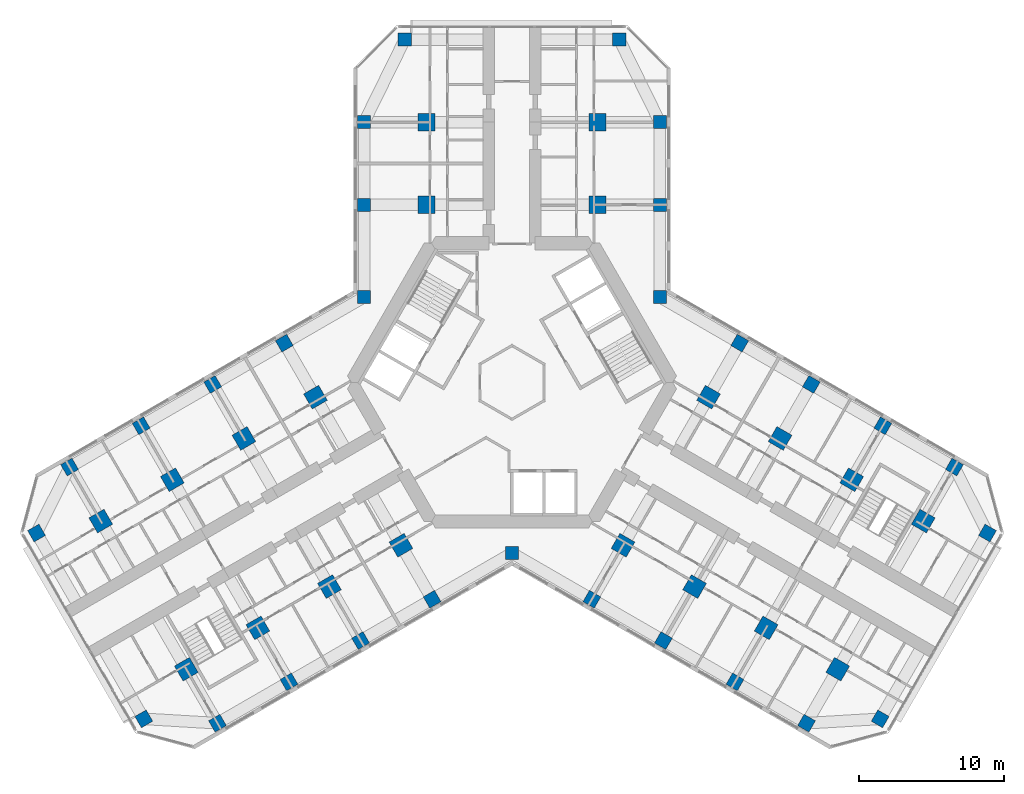
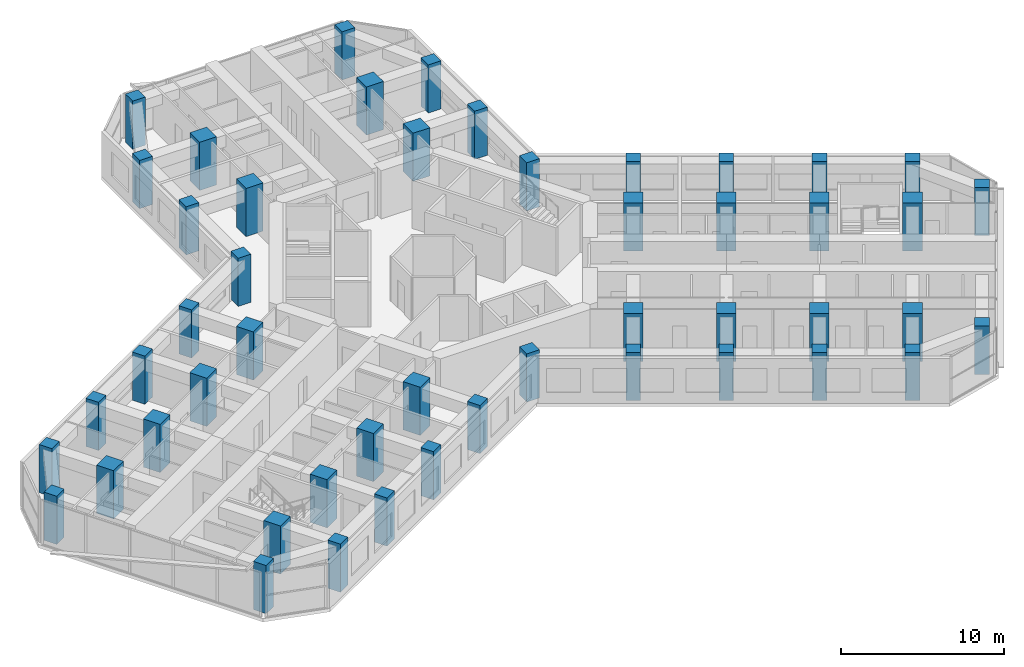
# One storey, part 1 of 19: 49 columns.
"""IFC4 building model written with IfcOpenShell, lengths in metres."""

import ifcopenshell
import ifcopenshell.guid

model = None  # the IFC model being written
_history = None  # IfcOwnerHistory: only IFC2X3 demands one
_inside = {}  # id of a spatial element -> (the spatial element, [elements in it])
_under = {}  # id of a project, library or spatial element -> (it, [spatial elements below it])
_declared = {}  # id of a project -> (the project, [libraries it declares])
_typed = {}  # id of a type object -> (the type object, [elements of that type])
_made_of = {}  # id of a material, layer set ... -> (it, [elements and type objects made of it])


def new_model(schema):
    """Start an empty IFC model of exactly this schema.

    Asked for "IFC4X3", IfcOpenShell would pick the latest addendum, in which some entities
    have other attributes; the version numbers below select the first issue.
    IFC2X3 requires an IfcOwnerHistory on every rooted entity: one is made here for all.
    """
    global model, _history
    if schema == "IFC4X3":
        model = ifcopenshell.file(schema_version=(4, 3, 0, 0))
    else:
        model = ifcopenshell.file(schema=schema)
    _inside.clear()
    _under.clear()
    _declared.clear()
    _typed.clear()
    _made_of.clear()
    _history = None
    if model.schema == "IFC2X3":
        org = make("IfcOrganization", Name="unknown")
        user = make(
            "IfcPersonAndOrganization",
            ThePerson=make("IfcPerson", FamilyName="unknown"),
            TheOrganization=org,
        )
        app = make(
            "IfcApplication",
            ApplicationDeveloper=org,
            Version="unknown",
            ApplicationFullName="unknown",
            ApplicationIdentifier="unknown",
        )
        _history = make(
            "IfcOwnerHistory",
            OwningUser=user,
            OwningApplication=app,
            ChangeAction="ADDED",
            CreationDate=0,
        )
    return model


def make(cls, **values):
    """One entity of the class cls with the attributes given. An attribute that is None is left unset."""
    return model.create_entity(
        cls, **{name: value for name, value in values.items() if value is not None}
    )


def rooted(cls, **values):
    """An entity with a GlobalId (a new one), such as an element, a storey or a relation."""
    return make(cls, GlobalId=ifcopenshell.guid.new(), OwnerHistory=_history, **values)


def si_unit(unit_type, name, prefix=None):
    """IfcSIUnit, for example si_unit("LENGTHUNIT", "METRE", prefix="MILLI")."""
    return make("IfcSIUnit", UnitType=unit_type, Prefix=prefix, Name=name)


def assignment(units):
    """IfcUnitAssignment: the units of a project."""
    return None if units is None else make("IfcUnitAssignment", Units=units)


def point(xyz):
    """IfcCartesianPoint."""
    return None if xyz is None else make("IfcCartesianPoint", Coordinates=xyz)


def direction(xyz):
    """IfcDirection."""
    return None if xyz is None else make("IfcDirection", DirectionRatios=xyz)


def frame(location, z_axis=None, x_axis=None):
    """IfcAxis2Placement3D, a coordinate frame: its origin and axes. An axis left out is left unset."""
    return make(
        "IfcAxis2Placement3D",
        Location=point(location),
        Axis=direction(z_axis),
        RefDirection=direction(x_axis),
    )


def frame_2d(location, x_axis=None):
    """IfcAxis2Placement2D, a coordinate frame in the plane: its origin and x axis."""
    return make(
        "IfcAxis2Placement2D", Location=point(location), RefDirection=direction(x_axis)
    )


def origin():
    """The frame at (0, 0, 0) with its axes left unset."""
    return frame((0.0, 0.0, 0.0))


def origin_2d():
    """The frame at (0, 0) in the plane with its x axis left unset."""
    return frame_2d((0.0, 0.0))


def place(relative_to, where):
    """IfcLocalPlacement: puts the frame where relative to a parent placement (None: the world)."""
    return make(
        "IfcLocalPlacement", PlacementRelTo=relative_to, RelativePlacement=where
    )


def context(
    kind, dimensions, precision=None, world=None, true_north=None, identifier=None
):
    """IfcGeometricRepresentationContext, for example the 3D "Model" context."""
    return make(
        "IfcGeometricRepresentationContext",
        ContextIdentifier=identifier,
        ContextType=kind,
        CoordinateSpaceDimension=dimensions,
        Precision=precision,
        WorldCoordinateSystem=world,
        TrueNorth=true_north,
    )


def subcontext(parent, identifier, kind, view, scale=None):
    """IfcGeometricRepresentationSubContext, for example "Body" below "Model"."""
    return make(
        "IfcGeometricRepresentationSubContext",
        ContextIdentifier=identifier,
        ContextType=kind,
        ParentContext=parent,
        TargetScale=scale,
        TargetView=view,
    )


def project(units=None, contexts=None):
    """IfcProject with its units and contexts."""
    return rooted(
        "IfcProject",
        Name="project",
        RepresentationContexts=contexts,
        UnitsInContext=assignment(units),
    )


def spatial(cls, under=None, at=None, **own):
    """A site, building, storey or space (cls), placed at a placement, below another one or the project."""
    s = rooted(cls, ObjectPlacement=at, **own)
    if under is not None:
        _under.setdefault(under.id(), (under, []))[1].append(s)
    return s


def profile(cls, at=None, kind="AREA", **sizes):
    """A parametric profile (cls). Its sizes go by their IFC names, for example OverallWidth=200.0."""
    return make(cls, ProfileType=kind, Position=at, **sizes)


def rectangle(**sizes):
    """IfcRectangleProfileDef."""
    return profile("IfcRectangleProfileDef", **sizes)


def extrude(swept, where, along, depth):
    """IfcExtrudedAreaSolid: the profile swept, set in the frame where, extruded along a direction by depth."""
    return make(
        "IfcExtrudedAreaSolid",
        SweptArea=swept,
        Position=where,
        ExtrudedDirection=direction(along),
        Depth=depth,
    )


def shape(context_of_items, identifier, shape_type, items):
    """IfcShapeRepresentation: the items that make up one representation, for example the "Body"."""
    return make(
        "IfcShapeRepresentation",
        ContextOfItems=context_of_items,
        RepresentationIdentifier=identifier,
        RepresentationType=shape_type,
        Items=items,
    )


def material(Name=None, Category=None):
    """IfcMaterial."""
    return make("IfcMaterial", Name=Name, Category=Category)


def material_profile(
    of_material, cross_section, Name=None, Category=None, Priority=None
):
    """IfcMaterialProfile: a cross section and its material."""
    return make(
        "IfcMaterialProfile",
        Name=Name,
        Material=of_material,
        Profile=cross_section,
        Priority=Priority,
        Category=Category,
    )


def profile_set(profiles, Name=None, composite=None):
    """IfcMaterialProfileSet."""
    return make(
        "IfcMaterialProfileSet",
        Name=Name,
        MaterialProfiles=profiles,
        CompositeProfile=composite,
    )


def made_of(thing, what):
    """Note that an element or type object is made of a material, layer set ...; save() writes the relation."""
    if what is not None:
        _made_of.setdefault(what.id(), (what, []))[1].append(thing)
    return thing


def type_object(cls, material=None, **own):
    """A type object (cls), such as IfcWallType, which elements share."""
    return made_of(rooted(cls, **own), material)


def element(
    cls,
    number,
    at=None,
    inside=None,
    cuts=None,
    type_object=None,
    material=None,
    context=None,
    identifier="Body",
    shape_type=None,
    held_by="IfcProductDefinitionShape",
    body=None,
    shapes=None,
    **own,
):
    """One element of the class cls, such as IfcWall. Its Tag is "e" and its number.

    at: its placement. inside: the storey or other place that contains it. cuts: it is an
    opening in that element (IfcRelVoidsElement). A single representation is given by context,
    identifier, shape_type and body (its items); several are given by shapes. held_by: the class
    of the entity that holds the representations. save() writes the other relations.
    """
    e = rooted(cls, Tag="e%d" % number, ObjectPlacement=at, **own)
    if body is not None:
        shapes = [shape(context, identifier, shape_type, body)]
    if shapes is not None:
        e.Representation = make(held_by, Representations=shapes)
    if inside is not None:
        _inside.setdefault(inside.id(), (inside, []))[1].append(e)
    if cuts is not None:
        rooted(
            "IfcRelVoidsElement", RelatingBuildingElement=cuts, RelatedOpeningElement=e
        )
    if type_object is not None:
        _typed.setdefault(type_object.id(), (type_object, []))[1].append(e)
    return made_of(e, material)


def aggregate(whole, parts):
    """IfcRelAggregates: a whole, such as a stair, and the parts it consists of."""
    return rooted("IfcRelAggregates", RelatingObject=whole, RelatedObjects=parts)


def save(model, path):
    """Write the relations noted so far, then the file.

    IfcRelAggregates (storeys below a building ...), IfcRelContainedInSpatialStructure (elements
    in a storey), IfcRelDefinesByType, IfcRelAssociatesMaterial and IfcRelDeclares: one each for
    every whole, place, type object, material and project.
    """
    for whole, parts in _under.values():
        aggregate(whole, parts)
    for where, things in _inside.values():
        rooted(
            "IfcRelContainedInSpatialStructure",
            RelatedElements=things,
            RelatingStructure=where,
        )
    for kind, things in _typed.values():
        rooted("IfcRelDefinesByType", RelatedObjects=things, RelatingType=kind)
    for what, things in _made_of.values():
        rooted("IfcRelAssociatesMaterial", RelatedObjects=things, RelatingMaterial=what)
    for by, libraries in _declared.values():
        rooted("IfcRelDeclares", RelatingContext=by, RelatedDefinitions=libraries)
    model.write(path)


model = new_model("IFC4")

# Units and contexts
model_context = context("Model", 3, precision=1e-05, world=origin(), true_north=direction((0.0, 1.0)))
body_context = subcontext(model_context, "Body", "Model", "MODEL_VIEW")
ifc_project = project(units=[si_unit("LENGTHUNIT", "METRE"), si_unit("AREAUNIT", "SQUARE_METRE"), si_unit("VOLUMEUNIT", "CUBIC_METRE"), si_unit("PLANEANGLEUNIT", "RADIAN"), si_unit("MASSUNIT", "GRAM", prefix="KILO")], contexts=[model_context])

# Site, building, storey
site_placement = place(None, origin())
site = spatial("IfcSite", under=ifc_project, at=site_placement, CompositionType="ELEMENT")
building_placement = place(site_placement, origin())
building = spatial("IfcBuilding", under=site, at=building_placement, Name="Kosmar Iwan School Tower", CompositionType="ELEMENT")
storey_placement = place(building_placement, frame((0.0, 0.0, 138.199951171875)))
storey = spatial("IfcBuildingStorey", under=building, at=storey_placement, Name="L34", CompositionType="ELEMENT", Elevation=138.199951171875)

# Columns
ifc_material_1 = material(Name="Concrete C50/60", Category="concrete")
ifc_material_profile_1 = material_profile(ifc_material_1, rectangle(XDim=0.89990234375, YDim=0.89990234375, at=origin_2d()), Name="RC 900x900 + HD 400x634")
ifc_profile_set_1 = profile_set([ifc_material_profile_1], Name="Concrete C50/60")
column_type_1 = type_object("IfcColumnType", Name="Composite column 900x900 HD 400x634", PredefinedType="COLUMN", material=ifc_profile_set_1)
for number, where, z_axis, x_axis, name in (
    (1, (-10.199951171875, 12.25, 0.0), (0.0, 0.0, 1.0), (0.0, 1.0, 0.0), "Column AL1 L34"),
    (2, (-10.199951171875, 17.949951171875, 0.0), (0.0, 0.0, 1.0), (0.0, 1.0, 0.0), "Column AL2 L34"),
    (3, (-7.39990234375, 23.64990234375, 0.0), (0.0, 0.0, 1.0), (0.0, 1.0, 0.0), "Column ALTIP L34"),
    (4, (10.199951171875, 12.25, 0.0), (0.0, 0.0, 1.0), (0.0, 1.0, 0.0), "Column AR1 L34"),
    (5, (10.199951171875, 17.949951171875, 0.0), (0.0, 0.0, 1.0), (0.0, 1.0, 0.0), "Column AR2 L34"),
    (6, (7.39990234375, 23.64990234375, 0.0), (0.0, 0.0, 1.0), (0.0, 1.0, 0.0), "Column ARTIP L34"),
    (7, (-5.5087890625, -14.95849609375, 0.0), (0.0, 0.0, 1.0), (-0.866025403784, -0.5, 0.0), "Column BL1 L34"),
    (8, (-10.445068359375, -17.808349609375, 0.0), (0.0, 0.0, 1.0), (-0.866025403784, -0.5, 0.0), "Column BL2 L34"),
    (9, (-15.381591796875, -20.658447265625, 0.0), (0.0, 0.0, 1.0), (-0.866025403784, -0.5, 0.0), "Column BL3 L34"),
    (10, (-20.31787109375, -23.508544921875, 0.0), (0.0, 0.0, 1.0), (-0.866025403784, -0.5, 0.0), "Column BL4 L34"),
    (11, (-25.3984375, -23.20849609375, 0.0), (0.0, 0.0, 1.0), (-0.866025403784, -0.5, 0.0), "Column BLTIP L34"),
    (12, (-15.708740234375, 2.70849609375, 0.0), (0.0, 0.0, 1.0), (-0.866025403784, -0.5, 0.0), "Column BR1 L34"),
    (13, (-20.645263671875, -0.1416015625, 0.0), (0.0, 0.0, 1.0), (-0.866025403784, -0.5, 0.0), "Column BR2 L34"),
    (14, (-25.58154296875, -2.991455078125, 0.0), (0.0, 0.0, 1.0), (-0.866025403784, -0.5, 0.0), "Column BR3 L34"),
    (15, (-30.517822265625, -5.841552734375, 0.0), (0.0, 0.0, 1.0), (-0.866025403784, -0.5, 0.0), "Column BR4 L34"),
    (16, (-32.79833984375, -10.391357421875, 0.0), (0.0, 0.0, 1.0), (-0.866025403784, -0.5, 0.0), "Column BRTIP L34"),
    (17, (15.708740234375, 2.70849609375, 0.0), (0.0, 0.0, 1.0), (0.866025403784, -0.5, 0.0), "Column CL1 L34"),
    (18, (20.645263671875, -0.1416015625, 0.0), (0.0, 0.0, 1.0), (0.866025403784, -0.5, 0.0), "Column CL2 L34"),
    (19, (25.58154296875, -2.991455078125, 0.0), (0.0, 0.0, 1.0), (0.866025403784, -0.5, 0.0), "Column CL3 L34"),
    (20, (30.517822265625, -5.841552734375, 0.0), (0.0, 0.0, 1.0), (0.866025403784, -0.5, 0.0), "Column CL4 L34"),
    (21, (32.79833984375, -10.391357421875, 0.0), (0.0, 0.0, 1.0), (0.866025403784, -0.5, 0.0), "Column CLTIP L34"),
    (22, (5.5087890625, -14.95849609375, 0.0), (0.0, 0.0, 1.0), (0.866025403784, -0.5, 0.0), "Column CR1 L34"),
    (23, (10.445068359375, -17.808349609375, 0.0), (0.0, 0.0, 1.0), (0.866025403784, -0.5, 0.0), "Column CR2 L34"),
    (24, (15.381591796875, -20.658447265625, 0.0), (0.0, 0.0, 1.0), (0.866025403784, -0.5, 0.0), "Column CR3 L34"),
    (25, (20.31787109375, -23.508544921875, 0.0), (0.0, 0.0, 1.0), (0.866025403784, -0.5, 0.0), "Column CR4 L34"),
    (26, (25.3984375, -23.20849609375, 0.0), (0.0, 0.0, 1.0), (0.866025403784, -0.5, 0.0), "Column CRTIP L34"),
    (27, (-10.199951171875, 5.888916015625, 0.0), (0.0, 0.0, 1.0), (1.0, 0.0, 0.0), "Column RAB L34"),
    (28, (10.199951171875, 5.888916015625, 0.0), (0.0, 0.0, 1.0), (1.0, 0.0, 0.0), "Column RAC L34"),
    (29, (0.0, -11.77783203125, 0.0), (0.0, 0.0, 1.0), (1.0, 0.0, 0.0), "Column RBC L34"),
):
    element("IfcColumn", number, at=place(storey_placement, frame(where, z_axis=z_axis, x_axis=x_axis)), inside=storey, type_object=column_type_1, Name=name, PredefinedType="COLUMN", context=body_context, shape_type="SweptSolid", body=[
        extrude(rectangle(XDim=0.89990234375, YDim=0.89990234375, at=origin_2d()), origin(), (0.0, 0.0, 1.0), 3.60009765625),
    ])
ifc_material_2 = material(Name="Concrete C50/60", Category="concrete")
ifc_material_profile_2 = material_profile(ifc_material_2, rectangle(XDim=1.199951171875, YDim=1.199951171875, at=origin_2d()), Name="RC 1200x1200")
ifc_profile_set_2 = profile_set([ifc_material_profile_2], Name="Concrete C50/60")
column_type_2 = type_object("IfcColumnType", Name="RC interior column 1200x1200", PredefinedType="COLUMN", material=ifc_profile_set_2)
for number, where, z_axis, x_axis, name in (
    (30, (-5.89990234375, 12.25, 0.0), (0.0, 0.0, 1.0), (0.0, 1.0, 0.0), "Interior column ALI1 L34"),
    (31, (-5.89990234375, 17.949951171875, 0.0), (0.0, 0.0, 1.0), (0.0, 1.0, 0.0), "Interior column ALI2 L34"),
    (32, (5.89990234375, 12.25, 0.0), (0.0, 0.0, 1.0), (0.0, 1.0, 0.0), "Interior column ARI1 L34"),
    (33, (5.89990234375, 17.949951171875, 0.0), (0.0, 0.0, 1.0), (0.0, 1.0, 0.0), "Interior column ARI2 L34"),
    (34, (-7.65869140625, -11.234619140625, 0.0), (0.0, 0.0, 1.0), (-0.866025403784, -0.5, 0.0), "Interior column BLI1 L34"),
    (35, (-12.59521484375, -14.08447265625, 0.0), (0.0, 0.0, 1.0), (-0.866025403784, -0.5, 0.0), "Interior column BLI2 L34"),
    (36, (-17.531494140625, -16.9345703125, 0.0), (0.0, 0.0, 1.0), (-0.866025403784, -0.5, 0.0), "Interior column BLI3 L34"),
    (37, (-22.4677734375, -19.78466796875, 0.0), (0.0, 0.0, 1.0), (-0.866025403784, -0.5, 0.0), "Interior column BLI4 L34"),
    (38, (-13.558837890625, -1.015380859375, 0.0), (0.0, 0.0, 1.0), (-0.866025403784, -0.5, 0.0), "Interior column BRI1 L34"),
    (39, (-18.4951171875, -3.865478515625, 0.0), (0.0, 0.0, 1.0), (-0.866025403784, -0.5, 0.0), "Interior column BRI2 L34"),
    (40, (-23.431396484375, -6.71533203125, 0.0), (0.0, 0.0, 1.0), (-0.866025403784, -0.5, 0.0), "Interior column BRI3 L34"),
    (41, (-28.367919921875, -9.5654296875, 0.0), (0.0, 0.0, 1.0), (-0.866025403784, -0.5, 0.0), "Interior column BRI4 L34"),
    (42, (13.558837890625, -1.015380859375, 0.0), (0.0, 0.0, 1.0), (0.866025403784, -0.5, 0.0), "Interior column CLI1 L34"),
    (43, (18.4951171875, -3.865478515625, 0.0), (0.0, 0.0, 1.0), (0.866025403784, -0.5, 0.0), "Interior column CLI2 L34"),
    (44, (23.431396484375, -6.71533203125, 0.0), (0.0, 0.0, 1.0), (0.866025403784, -0.5, 0.0), "Interior column CLI3 L34"),
    (45, (28.367919921875, -9.5654296875, 0.0), (0.0, 0.0, 1.0), (0.866025403784, -0.5, 0.0), "Interior column CLI4 L34"),
    (46, (7.65869140625, -11.234619140625, 0.0), (0.0, 0.0, 1.0), (0.866025403784, -0.5, 0.0), "Interior column CRI1 L34"),
    (47, (12.59521484375, -14.08447265625, 0.0), (0.0, 0.0, 1.0), (0.866025403784, -0.5, 0.0), "Interior column CRI2 L34"),
    (48, (17.531494140625, -16.9345703125, 0.0), (0.0, 0.0, 1.0), (0.866025403784, -0.5, 0.0), "Interior column CRI3 L34"),
    (49, (22.4677734375, -19.78466796875, 0.0), (0.0, 0.0, 1.0), (0.866025403784, -0.5, 0.0), "Interior column CRI4 L34"),
):
    element("IfcColumn", number, at=place(storey_placement, frame(where, z_axis=z_axis, x_axis=x_axis)), inside=storey, type_object=column_type_2, Name=name, PredefinedType="COLUMN", context=body_context, shape_type="SweptSolid", body=[
        extrude(rectangle(XDim=1.199951171875, YDim=1.199951171875, at=origin_2d()), origin(), (0.0, 0.0, 1.0), 3.60009765625),
    ])

save(model, "model.ifc")
